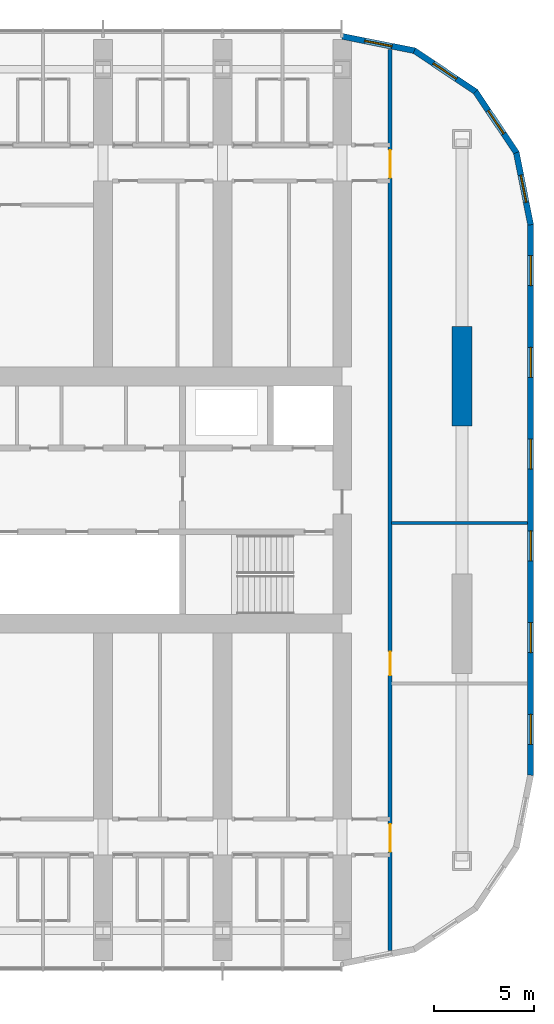
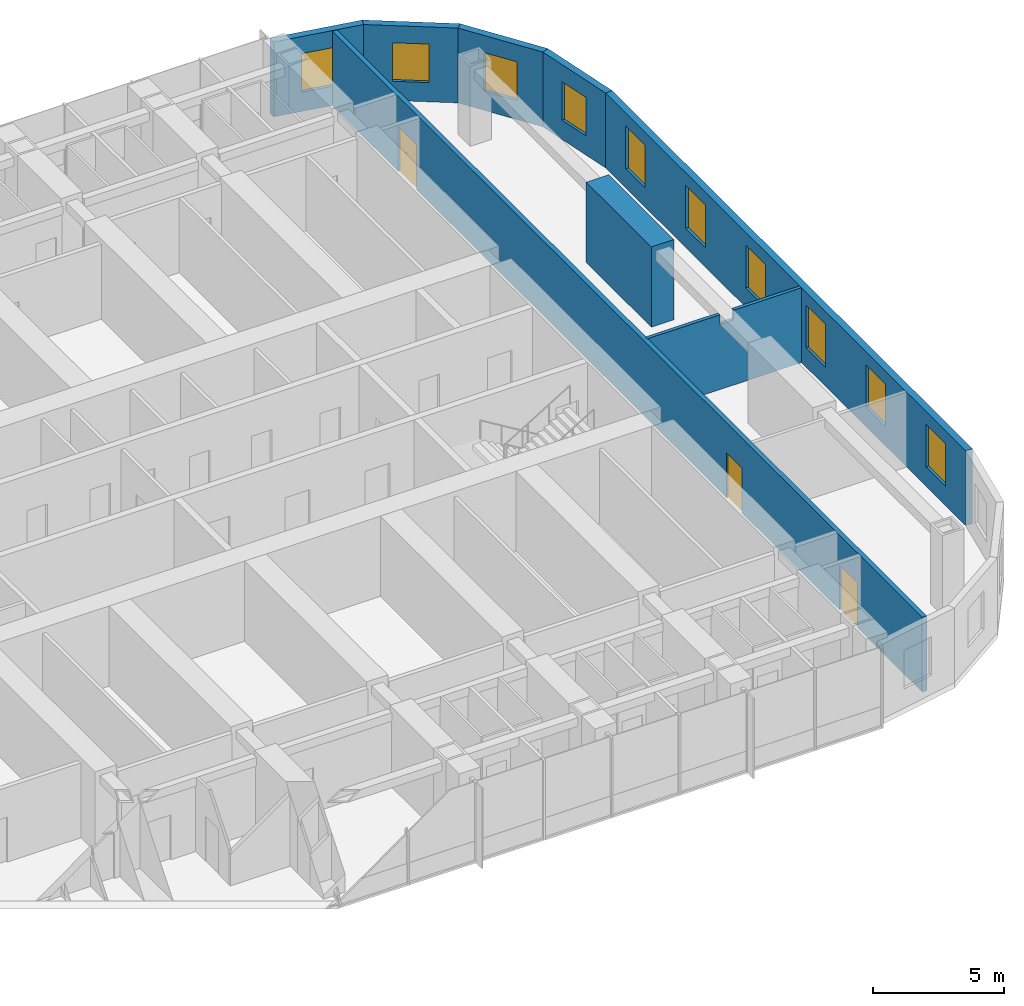
# One storey, part 17 of 22: 10 windows, 8 walls, 3 doors, 13 openings.
"""IFC4 building model written with IfcOpenShell, lengths in metres."""

import ifcopenshell
import ifcopenshell.guid

model = None  # the IFC model being written
_history = None  # IfcOwnerHistory: only IFC2X3 demands one
_inside = {}  # id of a spatial element -> (the spatial element, [elements in it])
_under = {}  # id of a project, library or spatial element -> (it, [spatial elements below it])
_declared = {}  # id of a project -> (the project, [libraries it declares])
_typed = {}  # id of a type object -> (the type object, [elements of that type])
_made_of = {}  # id of a material, layer set ... -> (it, [elements and type objects made of it])


def new_model(schema):
    """Start an empty IFC model of exactly this schema.

    Asked for "IFC4X3", IfcOpenShell would pick the latest addendum, in which some entities
    have other attributes; the version numbers below select the first issue.
    IFC2X3 requires an IfcOwnerHistory on every rooted entity: one is made here for all.
    """
    global model, _history
    if schema == "IFC4X3":
        model = ifcopenshell.file(schema_version=(4, 3, 0, 0))
    else:
        model = ifcopenshell.file(schema=schema)
    _inside.clear()
    _under.clear()
    _declared.clear()
    _typed.clear()
    _made_of.clear()
    _history = None
    if model.schema == "IFC2X3":
        org = make("IfcOrganization", Name="unknown")
        user = make(
            "IfcPersonAndOrganization",
            ThePerson=make("IfcPerson", FamilyName="unknown"),
            TheOrganization=org,
        )
        app = make(
            "IfcApplication",
            ApplicationDeveloper=org,
            Version="unknown",
            ApplicationFullName="unknown",
            ApplicationIdentifier="unknown",
        )
        _history = make(
            "IfcOwnerHistory",
            OwningUser=user,
            OwningApplication=app,
            ChangeAction="ADDED",
            CreationDate=0,
        )
    return model


def make(cls, **values):
    """One entity of the class cls with the attributes given. An attribute that is None is left unset."""
    return model.create_entity(
        cls, **{name: value for name, value in values.items() if value is not None}
    )


def rooted(cls, **values):
    """An entity with a GlobalId (a new one), such as an element, a storey or a relation."""
    return make(cls, GlobalId=ifcopenshell.guid.new(), OwnerHistory=_history, **values)


def si_unit(unit_type, name, prefix=None):
    """IfcSIUnit, for example si_unit("LENGTHUNIT", "METRE", prefix="MILLI")."""
    return make("IfcSIUnit", UnitType=unit_type, Prefix=prefix, Name=name)


def assignment(units):
    """IfcUnitAssignment: the units of a project."""
    return None if units is None else make("IfcUnitAssignment", Units=units)


def point(xyz):
    """IfcCartesianPoint."""
    return None if xyz is None else make("IfcCartesianPoint", Coordinates=xyz)


def direction(xyz):
    """IfcDirection."""
    return None if xyz is None else make("IfcDirection", DirectionRatios=xyz)


def frame(location, z_axis=None, x_axis=None):
    """IfcAxis2Placement3D, a coordinate frame: its origin and axes. An axis left out is left unset."""
    return make(
        "IfcAxis2Placement3D",
        Location=point(location),
        Axis=direction(z_axis),
        RefDirection=direction(x_axis),
    )


def frame_2d(location, x_axis=None):
    """IfcAxis2Placement2D, a coordinate frame in the plane: its origin and x axis."""
    return make(
        "IfcAxis2Placement2D", Location=point(location), RefDirection=direction(x_axis)
    )


def origin():
    """The frame at (0, 0, 0) with its axes left unset."""
    return frame((0.0, 0.0, 0.0))


def place(relative_to, where):
    """IfcLocalPlacement: puts the frame where relative to a parent placement (None: the world)."""
    return make(
        "IfcLocalPlacement", PlacementRelTo=relative_to, RelativePlacement=where
    )


def context(
    kind, dimensions, precision=None, world=None, true_north=None, identifier=None
):
    """IfcGeometricRepresentationContext, for example the 3D "Model" context."""
    return make(
        "IfcGeometricRepresentationContext",
        ContextIdentifier=identifier,
        ContextType=kind,
        CoordinateSpaceDimension=dimensions,
        Precision=precision,
        WorldCoordinateSystem=world,
        TrueNorth=true_north,
    )


def subcontext(parent, identifier, kind, view, scale=None):
    """IfcGeometricRepresentationSubContext, for example "Body" below "Model"."""
    return make(
        "IfcGeometricRepresentationSubContext",
        ContextIdentifier=identifier,
        ContextType=kind,
        ParentContext=parent,
        TargetScale=scale,
        TargetView=view,
    )


def project(units=None, contexts=None):
    """IfcProject with its units and contexts."""
    return rooted(
        "IfcProject",
        Name="project",
        RepresentationContexts=contexts,
        UnitsInContext=assignment(units),
    )


def spatial(cls, under=None, at=None, **own):
    """A site, building, storey or space (cls), placed at a placement, below another one or the project."""
    s = rooted(cls, ObjectPlacement=at, **own)
    if under is not None:
        _under.setdefault(under.id(), (under, []))[1].append(s)
    return s


def polyline(points):
    """IfcPolyline through the points."""
    return make("IfcPolyline", Points=[point(p) for p in points])


def profile(cls, at=None, kind="AREA", **sizes):
    """A parametric profile (cls). Its sizes go by their IFC names, for example OverallWidth=200.0."""
    return make(cls, ProfileType=kind, Position=at, **sizes)


def rectangle(**sizes):
    """IfcRectangleProfileDef."""
    return profile("IfcRectangleProfileDef", **sizes)


def outline(outer, holes=None, kind="AREA"):
    """IfcArbitraryClosedProfileDef: a profile drawn as a closed curve; with holes, ...WithVoids."""
    if holes is None:
        return make("IfcArbitraryClosedProfileDef", ProfileType=kind, OuterCurve=outer)
    return make(
        "IfcArbitraryProfileDefWithVoids",
        ProfileType=kind,
        OuterCurve=outer,
        InnerCurves=holes,
    )


def extrude(swept, where, along, depth):
    """IfcExtrudedAreaSolid: the profile swept, set in the frame where, extruded along a direction by depth."""
    return make(
        "IfcExtrudedAreaSolid",
        SweptArea=swept,
        Position=where,
        ExtrudedDirection=direction(along),
        Depth=depth,
    )


def shape(context_of_items, identifier, shape_type, items):
    """IfcShapeRepresentation: the items that make up one representation, for example the "Body"."""
    return make(
        "IfcShapeRepresentation",
        ContextOfItems=context_of_items,
        RepresentationIdentifier=identifier,
        RepresentationType=shape_type,
        Items=items,
    )


def material(Name=None, Category=None):
    """IfcMaterial."""
    return make("IfcMaterial", Name=Name, Category=Category)


def layer(
    of_material, thickness, ventilated=None, Name=None, Category=None, Priority=None
):
    """IfcMaterialLayer: one layer of a wall or slab, of a material (None: an air gap)."""
    return make(
        "IfcMaterialLayer",
        Material=of_material,
        LayerThickness=thickness,
        IsVentilated=ventilated,
        Name=Name,
        Category=Category,
        Priority=Priority,
    )


def layer_set(layers, Name=None):
    """IfcMaterialLayerSet."""
    return make("IfcMaterialLayerSet", MaterialLayers=layers, LayerSetName=Name)


def made_of(thing, what):
    """Note that an element or type object is made of a material, layer set ...; save() writes the relation."""
    if what is not None:
        _made_of.setdefault(what.id(), (what, []))[1].append(thing)
    return thing


def type_object(cls, material=None, **own):
    """A type object (cls), such as IfcWallType, which elements share."""
    return made_of(rooted(cls, **own), material)


def element(
    cls,
    number,
    at=None,
    inside=None,
    cuts=None,
    type_object=None,
    material=None,
    context=None,
    identifier="Body",
    shape_type=None,
    held_by="IfcProductDefinitionShape",
    body=None,
    shapes=None,
    **own,
):
    """One element of the class cls, such as IfcWall. Its Tag is "e" and its number.

    at: its placement. inside: the storey or other place that contains it. cuts: it is an
    opening in that element (IfcRelVoidsElement). A single representation is given by context,
    identifier, shape_type and body (its items); several are given by shapes. held_by: the class
    of the entity that holds the representations. save() writes the other relations.
    """
    e = rooted(cls, Tag="e%d" % number, ObjectPlacement=at, **own)
    if body is not None:
        shapes = [shape(context, identifier, shape_type, body)]
    if shapes is not None:
        e.Representation = make(held_by, Representations=shapes)
    if inside is not None:
        _inside.setdefault(inside.id(), (inside, []))[1].append(e)
    if cuts is not None:
        rooted(
            "IfcRelVoidsElement", RelatingBuildingElement=cuts, RelatedOpeningElement=e
        )
    if type_object is not None:
        _typed.setdefault(type_object.id(), (type_object, []))[1].append(e)
    return made_of(e, material)


def fill(opening, filler):
    """IfcRelFillsElement: the door or window that sits in an opening."""
    return rooted(
        "IfcRelFillsElement",
        RelatingOpeningElement=opening,
        RelatedBuildingElement=filler,
    )


def aggregate(whole, parts):
    """IfcRelAggregates: a whole, such as a stair, and the parts it consists of."""
    return rooted("IfcRelAggregates", RelatingObject=whole, RelatedObjects=parts)


def save(model, path):
    """Write the relations noted so far, then the file.

    IfcRelAggregates (storeys below a building ...), IfcRelContainedInSpatialStructure (elements
    in a storey), IfcRelDefinesByType, IfcRelAssociatesMaterial and IfcRelDeclares: one each for
    every whole, place, type object, material and project.
    """
    for whole, parts in _under.values():
        aggregate(whole, parts)
    for where, things in _inside.values():
        rooted(
            "IfcRelContainedInSpatialStructure",
            RelatedElements=things,
            RelatingStructure=where,
        )
    for kind, things in _typed.values():
        rooted("IfcRelDefinesByType", RelatedObjects=things, RelatingType=kind)
    for what, things in _made_of.values():
        rooted("IfcRelAssociatesMaterial", RelatedObjects=things, RelatingMaterial=what)
    for by, libraries in _declared.values():
        rooted("IfcRelDeclares", RelatingContext=by, RelatedDefinitions=libraries)
    model.write(path)


model = new_model("IFC4")

# Units and contexts
model_context = context("Model", 3, precision=1e-05, world=origin(), true_north=direction((0.0, 1.0)))
body_context = subcontext(model_context, "Body", "Model", "MODEL_VIEW")
ifc_project = project(units=[si_unit("LENGTHUNIT", "METRE"), si_unit("AREAUNIT", "SQUARE_METRE"), si_unit("VOLUMEUNIT", "CUBIC_METRE"), si_unit("PLANEANGLEUNIT", "RADIAN"), si_unit("MASSUNIT", "GRAM", prefix="KILO")], contexts=[model_context])

# Site, building, storey
site_placement = place(None, origin())
site = spatial("IfcSite", under=ifc_project, at=site_placement, CompositionType="ELEMENT")
building_placement = place(site_placement, origin())
building = spatial("IfcBuilding", under=site, at=building_placement, Name="Orbita Commons", CompositionType="ELEMENT")
storey_placement = place(building_placement, frame((0.0, 0.0, 121.89990234375)))
storey = spatial("IfcBuildingStorey", under=building, at=storey_placement, Name="L30", CompositionType="ELEMENT", Elevation=121.89990234375)

# Wall, openings, doors
ifc_material_1 = material(Name="Concrete blockwork", Category="masonry")
ifc_layer_1 = layer(ifc_material_1, 0.199951171875)
ifc_layer_set_1 = layer_set([ifc_layer_1], Name="Concrete blockwork")
wall_type_1 = type_object("IfcWallType", Name="Corridor wall 200 blockwork", PredefinedType="SOLIDWALL", material=ifc_layer_set_1)
wall_1_placement = place(storey_placement, frame((68.39990234375, 9.4052734375, 0.0), z_axis=(0.0, 0.0, 1.0), x_axis=(0.0, 1.0, 0.0)))
wall_1 = element("IfcWall", 1, at=wall_1_placement, inside=storey, type_object=wall_type_1, Name="Corridor wall 200 blockwork L30", PredefinedType="SOLIDWALL", context=body_context, shape_type="SweptSolid", body=[
    extrude(rectangle(XDim=45.189453125, YDim=0.199951171875, at=frame_2d((22.5947265625, 0.0))), origin(), (0.0, 0.0, 1.0), 3.5),
])
opening_1_placement = place(wall_1_placement, frame((13.794677734375, 0.0, 0.0)))
opening_1 = element("IfcOpeningElement", 2, at=opening_1_placement, cuts=wall_1, Name="Opening D15", PredefinedType="OPENING", context=body_context, shape_type="SweptSolid", body=[
    extrude(rectangle(XDim=1.199951171875, YDim=2.10009765625, at=frame_2d((0.60009765625, 1.050048828125))), frame((0.0, 0.10986328125, 0.0), z_axis=(0.0, -1.0, 0.0), x_axis=(1.0, 0.0, 0.0)), (0.0, 0.0, 1.0), 0.219970703125),
])
opening_2_placement = place(wall_1_placement, frame((4.94482421875, 0.0, 0.0)))
opening_2 = element("IfcOpeningElement", 3, at=opening_2_placement, cuts=wall_1, Name="Opening D08", PredefinedType="OPENING", context=body_context, shape_type="SweptSolid", body=[
    extrude(rectangle(XDim=1.39990234375, YDim=2.10009765625, at=frame_2d((0.699951171875, 1.050048828125))), frame((0.0, 0.10986328125, 0.0), z_axis=(0.0, -1.0, 0.0), x_axis=(1.0, 0.0, 0.0)), (0.0, 0.0, 1.0), 0.219970703125),
])
opening_3_placement = place(wall_1_placement, frame((38.74462890625, 0.0, 0.0)))
opening_3 = element("IfcOpeningElement", 4, at=opening_3_placement, cuts=wall_1, Name="Opening D08", PredefinedType="OPENING", context=body_context, shape_type="SweptSolid", body=[
    extrude(rectangle(XDim=1.39990234375, YDim=2.10009765625, at=frame_2d((0.699951171875, 1.050048828125))), frame((0.0, 0.10986328125, 0.0), z_axis=(0.0, -1.0, 0.0), x_axis=(1.0, 0.0, 0.0)), (0.0, 0.0, 1.0), 0.219970703125),
])
ifc_material_2 = material(Name="Steel-faced fire door leaf", Category="steel")
door_type_1 = type_object("IfcDoorType", Name="Corridor door 20 min 1200x2100", OperationType="SINGLE_SWING_LEFT", PredefinedType="DOOR", material=ifc_material_2)
door_1_placement = place(opening_1_placement, origin())
door_1 = element("IfcDoor", 5, at=door_1_placement, inside=storey, type_object=door_type_1, Name="Reading room door", OperationType="SINGLE_SWING_LEFT", OverallHeight=2.10009765625, OverallWidth=1.199951171875, PredefinedType="DOOR", context=body_context, shape_type="SweptSolid", body=[
    extrude(rectangle(XDim=1.199951171875, YDim=2.10009765625, at=frame_2d((0.60009765625, 1.050048828125))), frame((0.0, 0.02490234375, 0.0), z_axis=(0.0, -1.0, 0.0), x_axis=(1.0, 0.0, 0.0)), (0.0, 0.0, 1.0), 0.050048828125),
])
fill(opening_1, door_1)
ifc_material_3 = material(Name="Steel-faced fire door leaf", Category="steel")
door_type_2 = type_object("IfcDoorType", Name="Double corridor door 20 min 1400x2100", OperationType="DOUBLE_DOOR_SINGLE_SWING", PredefinedType="DOOR", material=ifc_material_3)
door_2_placement = place(opening_2_placement, origin())
door_2 = element("IfcDoor", 6, at=door_2_placement, inside=storey, type_object=door_type_2, Name="Lounge doors", OperationType="DOUBLE_DOOR_SINGLE_SWING", OverallHeight=2.10009765625, OverallWidth=1.39990234375, PredefinedType="DOOR", context=body_context, shape_type="SweptSolid", body=[
    extrude(rectangle(XDim=1.39990234375, YDim=2.10009765625, at=frame_2d((0.699951171875, 1.050048828125))), frame((0.0, 0.02490234375, 0.0), z_axis=(0.0, -1.0, 0.0), x_axis=(1.0, 0.0, 0.0)), (0.0, 0.0, 1.0), 0.050048828125),
])
fill(opening_2, door_2)
door_3_placement = place(opening_3_placement, origin())
door_3 = element("IfcDoor", 7, at=door_3_placement, inside=storey, type_object=door_type_2, Name="Lounge doors", OperationType="DOUBLE_DOOR_SINGLE_SWING", OverallHeight=2.10009765625, OverallWidth=1.39990234375, PredefinedType="DOOR", context=body_context, shape_type="SweptSolid", body=[
    extrude(rectangle(XDim=1.39990234375, YDim=2.10009765625, at=frame_2d((0.699951171875, 1.050048828125))), frame((0.0, 0.02490234375, 0.0), z_axis=(0.0, -1.0, 0.0), x_axis=(1.0, 0.0, 0.0)), (0.0, 0.0, 1.0), 0.050048828125),
])
fill(opening_3, door_3)

# Walls
ifc_material_4 = material(Name="Concrete C50/60", Category="concrete")
ifc_layer_2 = layer(ifc_material_4, 1.0)
ifc_layer_set_2 = layer_set([ifc_layer_2], Name="Concrete C50/60")
wall_type_2 = type_object("IfcWallType", Name="End pier 1000x5000 C50/60", PredefinedType="SHEAR", material=ifc_layer_set_2)
wall_2_placement = place(storey_placement, frame((72.0, 35.699951171875, 0.0), z_axis=(0.0, 0.0, 1.0), x_axis=(0.0, 1.0, 0.0)))
element("IfcWall", 8, at=wall_2_placement, inside=storey, type_object=wall_type_2, Name="End pier 13/D L30", PredefinedType="SHEAR", context=body_context, shape_type="SweptSolid", body=[
    extrude(rectangle(XDim=5.0, YDim=1.0, at=frame_2d((2.5, 0.0))), origin(), (0.0, 0.0, 1.0), 3.75),
])
ifc_material_5 = material(Name="Gypsum plasterboard on steel studs", Category="steel")
ifc_layer_3 = layer(ifc_material_5, 0.14990234375)
ifc_layer_set_3 = layer_set([ifc_layer_3], Name="Gypsum plasterboard on steel studs")
wall_type_3 = type_object("IfcWallType", Name="Partition 150 plasterboard", PredefinedType="PARTITIONING", material=ifc_layer_set_3)
wall_3_placement = place(storey_placement, frame((68.47509765625, 30.85009765625, 0.0), z_axis=(0.0, 0.0, 1.0), x_axis=(1.0, 0.0, 0.0)))
element("IfcWall", 9, at=wall_3_placement, inside=storey, type_object=wall_type_3, Name="Partition 150 plasterboard L30", PredefinedType="PARTITIONING", context=body_context, shape_type="SweptSolid", body=[
    extrude(outline(polyline([(0.0, 0.0), (6.81982421875, 0.0), (6.820068359375, 3.5), (3.826904296875, 3.5), (3.824951171875, 3.050048828125), (3.22705078125, 3.050048828125), (3.22509765625, 3.5), (0.0, 3.5), (0.0, 0.0)])), frame((0.0, 0.074951171875, 0.0), z_axis=(0.0, -1.0, 0.0), x_axis=(1.0, 0.0, 0.0)), (0.0, 0.0, 1.0), 0.14990234375),
])

# Wall, openings, windows
ifc_material_6 = material(Name="Precast concrete C40/50, white board-marked finish", Category="concrete")
ifc_layer_4 = layer(ifc_material_6, 0.300048828125)
ifc_layer_set_4 = layer_set([ifc_layer_4], Name="Precast concrete C40/50, white board-marked finish")
wall_type_4 = type_object("IfcWallType", Name="Precast concrete end shield 300", PredefinedType="SOLIDWALL", material=ifc_layer_set_4)
wall_4_placement = place(storey_placement, frame((75.449951171875, 18.199951171875, 0.0), z_axis=(0.0, 0.0, 1.0), x_axis=(0.0, 1.0, 0.0)))
wall_4 = element("IfcWall", 10, at=wall_4_placement, inside=storey, type_object=wall_type_4, Name="End shield E L30", PredefinedType="SOLIDWALL", context=body_context, shape_type="SweptSolid", body=[
    extrude(outline(polyline([(-0.014892578125, -0.14990234375), (27.614990234375, -0.14990234375), (27.585205078125, 0.14990234375), (0.014892578125, 0.14990234375), (-0.014892578125, -0.14990234375)])), origin(), (0.0, 0.0, 1.0), 3.5),
])
opening_4_placement = place(wall_4_placement, frame((1.550048828125, 0.0, 0.89990234375)))
opening_4 = element("IfcOpeningElement", 11, at=opening_4_placement, cuts=wall_4, Name="Opening W01", PredefinedType="OPENING", context=body_context, shape_type="SweptSolid", body=[
    extrude(rectangle(XDim=1.5, YDim=2.0, at=frame_2d((0.75, 1.0))), frame((0.0, 0.159912109375, 0.0), z_axis=(0.0, -1.0, 0.0), x_axis=(1.0, 0.0, 0.0)), (0.0, 0.0, 1.0), 0.320068359375),
])
opening_5_placement = place(wall_4_placement, frame((6.14990234375, 0.0, 0.89990234375)))
opening_5 = element("IfcOpeningElement", 12, at=opening_5_placement, cuts=wall_4, Name="Opening W01", PredefinedType="OPENING", context=body_context, shape_type="SweptSolid", body=[
    extrude(rectangle(XDim=1.5, YDim=2.0, at=frame_2d((0.75, 1.0))), frame((0.0, 0.159912109375, 0.0), z_axis=(0.0, -1.0, 0.0), x_axis=(1.0, 0.0, 0.0)), (0.0, 0.0, 1.0), 0.320068359375),
])
opening_6_placement = place(wall_4_placement, frame((10.75, 0.0, 0.89990234375)))
opening_6 = element("IfcOpeningElement", 13, at=opening_6_placement, cuts=wall_4, Name="Opening W01", PredefinedType="OPENING", context=body_context, shape_type="SweptSolid", body=[
    extrude(rectangle(XDim=1.5, YDim=2.0, at=frame_2d((0.75, 1.0))), frame((0.0, 0.159912109375, 0.0), z_axis=(0.0, -1.0, 0.0), x_axis=(1.0, 0.0, 0.0)), (0.0, 0.0, 1.0), 0.320068359375),
])
opening_7_placement = place(wall_4_placement, frame((15.35009765625, 0.0, 0.89990234375)))
opening_7 = element("IfcOpeningElement", 14, at=opening_7_placement, cuts=wall_4, Name="Opening W01", PredefinedType="OPENING", context=body_context, shape_type="SweptSolid", body=[
    extrude(rectangle(XDim=1.5, YDim=2.0, at=frame_2d((0.75, 1.0))), frame((0.0, 0.159912109375, 0.0), z_axis=(0.0, -1.0, 0.0), x_axis=(1.0, 0.0, 0.0)), (0.0, 0.0, 1.0), 0.320068359375),
])
opening_8_placement = place(wall_4_placement, frame((19.949951171875, 0.0, 0.89990234375)))
opening_8 = element("IfcOpeningElement", 15, at=opening_8_placement, cuts=wall_4, Name="Opening W01", PredefinedType="OPENING", context=body_context, shape_type="SweptSolid", body=[
    extrude(rectangle(XDim=1.5, YDim=2.0, at=frame_2d((0.75, 1.0))), frame((0.0, 0.159912109375, 0.0), z_axis=(0.0, -1.0, 0.0), x_axis=(1.0, 0.0, 0.0)), (0.0, 0.0, 1.0), 0.320068359375),
])
opening_9_placement = place(wall_4_placement, frame((24.550048828125, 0.0, 0.89990234375)))
opening_9 = element("IfcOpeningElement", 16, at=opening_9_placement, cuts=wall_4, Name="Opening W01", PredefinedType="OPENING", context=body_context, shape_type="SweptSolid", body=[
    extrude(rectangle(XDim=1.5, YDim=2.0, at=frame_2d((0.75, 1.0))), frame((0.0, 0.159912109375, 0.0), z_axis=(0.0, -1.0, 0.0), x_axis=(1.0, 0.0, 0.0)), (0.0, 0.0, 1.0), 0.320068359375),
])
ifc_material_7 = material(Name="Aluminium frame, clear double glazing", Category="aluminium")
window_type_1 = type_object("IfcWindowType", Name="Deep-set window 1500x2000", PartitioningType="SINGLE_PANEL", PredefinedType="WINDOW", material=ifc_material_7)
window_1_placement = place(opening_4_placement, origin())
window_1 = element("IfcWindow", 17, at=window_1_placement, inside=storey, type_object=window_type_1, Name="Window L30-E 1", OverallHeight=2.0, OverallWidth=1.5, PartitioningType="SINGLE_PANEL", PredefinedType="WINDOW", context=body_context, shape_type="SweptSolid", body=[
    extrude(rectangle(XDim=1.5, YDim=2.0, at=frame_2d((0.75, 1.0))), frame((0.0, 0.030029296875, 0.0), z_axis=(0.0, -1.0, 0.0), x_axis=(1.0, 0.0, 0.0)), (0.0, 0.0, 1.0), 0.06005859375),
])
fill(opening_4, window_1)
window_2_placement = place(opening_5_placement, origin())
window_2 = element("IfcWindow", 18, at=window_2_placement, inside=storey, type_object=window_type_1, Name="Window L30-E 2", OverallHeight=2.0, OverallWidth=1.5, PartitioningType="SINGLE_PANEL", PredefinedType="WINDOW", context=body_context, shape_type="SweptSolid", body=[
    extrude(rectangle(XDim=1.5, YDim=2.0, at=frame_2d((0.75, 1.0))), frame((0.0, 0.030029296875, 0.0), z_axis=(0.0, -1.0, 0.0), x_axis=(1.0, 0.0, 0.0)), (0.0, 0.0, 1.0), 0.06005859375),
])
fill(opening_5, window_2)
window_3_placement = place(opening_6_placement, origin())
window_3 = element("IfcWindow", 19, at=window_3_placement, inside=storey, type_object=window_type_1, Name="Window L30-E 3", OverallHeight=2.0, OverallWidth=1.5, PartitioningType="SINGLE_PANEL", PredefinedType="WINDOW", context=body_context, shape_type="SweptSolid", body=[
    extrude(rectangle(XDim=1.5, YDim=2.0, at=frame_2d((0.75, 1.0))), frame((0.0, 0.030029296875, 0.0), z_axis=(0.0, -1.0, 0.0), x_axis=(1.0, 0.0, 0.0)), (0.0, 0.0, 1.0), 0.06005859375),
])
fill(opening_6, window_3)
window_4_placement = place(opening_7_placement, origin())
window_4 = element("IfcWindow", 20, at=window_4_placement, inside=storey, type_object=window_type_1, Name="Window L30-E 4", OverallHeight=2.0, OverallWidth=1.5, PartitioningType="SINGLE_PANEL", PredefinedType="WINDOW", context=body_context, shape_type="SweptSolid", body=[
    extrude(rectangle(XDim=1.5, YDim=2.0, at=frame_2d((0.75, 1.0))), frame((0.0, 0.030029296875, 0.0), z_axis=(0.0, -1.0, 0.0), x_axis=(1.0, 0.0, 0.0)), (0.0, 0.0, 1.0), 0.06005859375),
])
fill(opening_7, window_4)
window_5_placement = place(opening_8_placement, origin())
window_5 = element("IfcWindow", 21, at=window_5_placement, inside=storey, type_object=window_type_1, Name="Window L30-E 5", OverallHeight=2.0, OverallWidth=1.5, PartitioningType="SINGLE_PANEL", PredefinedType="WINDOW", context=body_context, shape_type="SweptSolid", body=[
    extrude(rectangle(XDim=1.5, YDim=2.0, at=frame_2d((0.75, 1.0))), frame((0.0, 0.030029296875, 0.0), z_axis=(0.0, -1.0, 0.0), x_axis=(1.0, 0.0, 0.0)), (0.0, 0.0, 1.0), 0.06005859375),
])
fill(opening_8, window_5)
window_6_placement = place(opening_9_placement, origin())
window_6 = element("IfcWindow", 22, at=window_6_placement, inside=storey, type_object=window_type_1, Name="Window L30-E 6", OverallHeight=2.0, OverallWidth=1.5, PartitioningType="SINGLE_PANEL", PredefinedType="WINDOW", context=body_context, shape_type="SweptSolid", body=[
    extrude(rectangle(XDim=1.5, YDim=2.0, at=frame_2d((0.75, 1.0))), frame((0.0, 0.030029296875, 0.0), z_axis=(0.0, -1.0, 0.0), x_axis=(1.0, 0.0, 0.0)), (0.0, 0.0, 1.0), 0.06005859375),
])
fill(opening_9, window_6)

# Wall, opening, window
wall_5_placement = place(storey_placement, frame((75.449951171875, 45.800048828125, 0.0), z_axis=(0.0, 0.0, 1.0), x_axis=(-0.195059183267, 0.980791473772, 0.0)))
wall_5 = element("IfcWall", 23, at=wall_5_placement, inside=storey, type_object=wall_type_4, Name="End shield NE chord 1 L30", PredefinedType="SOLIDWALL", context=body_context, shape_type="SweptSolid", body=[
    extrude(outline(polyline([(-0.014892578125, -0.14990234375), (3.717041015625, -0.14990234375), (3.657470703125, 0.14990234375), (0.014892578125, 0.14990234375), (-0.014892578125, -0.14990234375)])), origin(), (0.0, 0.0, 1.0), 3.5),
])
opening_10_placement = place(wall_5_placement, frame((1.1435546875, 0.0, 0.89990234375)))
opening_10 = element("IfcOpeningElement", 24, at=opening_10_placement, cuts=wall_5, Name="Opening W02", PredefinedType="OPENING", context=body_context, shape_type="SweptSolid", body=[
    extrude(rectangle(XDim=1.39990234375, YDim=1.800048828125, at=frame_2d((0.699951171875, 0.89990234375))), frame((0.0, 0.159912109375, 0.0), z_axis=(0.0, -1.0, 0.0), x_axis=(1.0, 0.0, 0.0)), (0.0, 0.0, 1.0), 0.320068359375),
])
ifc_material_8 = material(Name="Aluminium frame, clear double glazing", Category="aluminium")
window_type_2 = type_object("IfcWindowType", Name="Deep-set window 1400x1800", PartitioningType="SINGLE_PANEL", PredefinedType="WINDOW", material=ifc_material_8)
window_7_placement = place(opening_10_placement, origin())
window_7 = element("IfcWindow", 25, at=window_7_placement, inside=storey, type_object=window_type_2, Name="Window L30-NE0", OverallHeight=1.800048828125, OverallWidth=1.39990234375, PartitioningType="SINGLE_PANEL", PredefinedType="WINDOW", context=body_context, shape_type="SweptSolid", body=[
    extrude(rectangle(XDim=1.39990234375, YDim=1.800048828125, at=frame_2d((0.699951171875, 0.89990234375))), frame((0.0, 0.030029296875, 0.0), z_axis=(0.0, -1.0, 0.0), x_axis=(1.0, 0.0, 0.0)), (0.0, 0.0, 1.0), 0.06005859375),
])
fill(opening_10, window_7)

wall_6_placement = place(storey_placement, frame((74.730712890625, 49.41650390625, 0.0), z_axis=(0.0, 0.0, 1.0), x_axis=(-0.555601399253, 0.831448786846, 0.0)))
wall_6 = element("IfcWall", 26, at=wall_6_placement, inside=storey, type_object=wall_type_4, Name="End shield NE chord 2 L30", PredefinedType="SOLIDWALL", context=body_context, shape_type="SweptSolid", body=[
    extrude(outline(polyline([(-0.02978515625, -0.14990234375), (3.717041015625, -0.14990234375), (3.657470703125, 0.14990234375), (0.02978515625, 0.14990234375), (-0.02978515625, -0.14990234375)])), origin(), (0.0, 0.0, 1.0), 3.5),
])
opening_11_placement = place(wall_6_placement, frame((1.1435546875, 0.0, 0.89990234375)))
opening_11 = element("IfcOpeningElement", 27, at=opening_11_placement, cuts=wall_6, Name="Opening W02", PredefinedType="OPENING", context=body_context, shape_type="SweptSolid", body=[
    extrude(rectangle(XDim=1.39990234375, YDim=1.800048828125, at=frame_2d((0.699951171875, 0.89990234375))), frame((0.0, 0.159912109375, 0.0), z_axis=(0.0, -1.0, 0.0), x_axis=(1.0, 0.0, 0.0)), (0.0, 0.0, 1.0), 0.320068359375),
])
window_8_placement = place(opening_11_placement, origin())
window_8 = element("IfcWindow", 28, at=window_8_placement, inside=storey, type_object=window_type_2, Name="Window L30-NE1", OverallHeight=1.800048828125, OverallWidth=1.39990234375, PartitioningType="SINGLE_PANEL", PredefinedType="WINDOW", context=body_context, shape_type="SweptSolid", body=[
    extrude(rectangle(XDim=1.39990234375, YDim=1.800048828125, at=frame_2d((0.699951171875, 0.89990234375))), frame((0.0, 0.030029296875, 0.0), z_axis=(0.0, -1.0, 0.0), x_axis=(1.0, 0.0, 0.0)), (0.0, 0.0, 1.0), 0.06005859375),
])
fill(opening_11, window_8)

wall_7_placement = place(storey_placement, frame((72.68212890625, 52.482177734375, 0.0), z_axis=(0.0, 0.0, 1.0), x_axis=(-0.831448786846, 0.555601399253, 0.0)))
wall_7 = element("IfcWall", 29, at=wall_7_placement, inside=storey, type_object=wall_type_4, Name="End shield NE chord 3 L30", PredefinedType="SOLIDWALL", context=body_context, shape_type="SweptSolid", body=[
    extrude(outline(polyline([(-0.02978515625, -0.14990234375), (3.717041015625, -0.14990234375), (3.657470703125, 0.14990234375), (0.02978515625, 0.14990234375), (-0.02978515625, -0.14990234375)])), origin(), (0.0, 0.0, 1.0), 3.5),
])
opening_12_placement = place(wall_7_placement, frame((1.1435546875, 0.0, 0.89990234375)))
opening_12 = element("IfcOpeningElement", 30, at=opening_12_placement, cuts=wall_7, Name="Opening W02", PredefinedType="OPENING", context=body_context, shape_type="SweptSolid", body=[
    extrude(rectangle(XDim=1.39990234375, YDim=1.800048828125, at=frame_2d((0.699951171875, 0.89990234375))), frame((0.0, 0.159912109375, 0.0), z_axis=(0.0, -1.0, 0.0), x_axis=(1.0, 0.0, 0.0)), (0.0, 0.0, 1.0), 0.320068359375),
])
window_9_placement = place(opening_12_placement, origin())
window_9 = element("IfcWindow", 31, at=window_9_placement, inside=storey, type_object=window_type_2, Name="Window L30-NE2", OverallHeight=1.800048828125, OverallWidth=1.39990234375, PartitioningType="SINGLE_PANEL", PredefinedType="WINDOW", context=body_context, shape_type="SweptSolid", body=[
    extrude(rectangle(XDim=1.39990234375, YDim=1.800048828125, at=frame_2d((0.699951171875, 0.89990234375))), frame((0.0, 0.030029296875, 0.0), z_axis=(0.0, -1.0, 0.0), x_axis=(1.0, 0.0, 0.0)), (0.0, 0.0, 1.0), 0.06005859375),
])
fill(opening_12, window_9)

wall_8_placement = place(storey_placement, frame((69.616455078125, 54.53076171875, 0.0), z_axis=(0.0, 0.0, 1.0), x_axis=(-0.980791473772, 0.195059183267, 0.0)))
wall_8 = element("IfcWall", 32, at=wall_8_placement, inside=storey, type_object=wall_type_4, Name="End shield NE chord 4 L30", PredefinedType="SOLIDWALL", context=body_context, shape_type="SweptSolid", body=[
    extrude(outline(polyline([(-0.02978515625, -0.14990234375), (3.717041015625, -0.14990234375), (3.657470703125, 0.14990234375), (0.02978515625, 0.14990234375), (-0.02978515625, -0.14990234375)])), origin(), (0.0, 0.0, 1.0), 3.5),
])
opening_13_placement = place(wall_8_placement, frame((1.1435546875, 0.0, 0.89990234375)))
opening_13 = element("IfcOpeningElement", 33, at=opening_13_placement, cuts=wall_8, Name="Opening W02", PredefinedType="OPENING", context=body_context, shape_type="SweptSolid", body=[
    extrude(rectangle(XDim=1.39990234375, YDim=1.800048828125, at=frame_2d((0.699951171875, 0.89990234375))), frame((0.0, 0.159912109375, 0.0), z_axis=(0.0, -1.0, 0.0), x_axis=(1.0, 0.0, 0.0)), (0.0, 0.0, 1.0), 0.320068359375),
])
window_10_placement = place(opening_13_placement, origin())
window_10 = element("IfcWindow", 34, at=window_10_placement, inside=storey, type_object=window_type_2, Name="Window L30-NE3", OverallHeight=1.800048828125, OverallWidth=1.39990234375, PartitioningType="SINGLE_PANEL", PredefinedType="WINDOW", context=body_context, shape_type="SweptSolid", body=[
    extrude(rectangle(XDim=1.39990234375, YDim=1.800048828125, at=frame_2d((0.699951171875, 0.89990234375))), frame((0.0, 0.030029296875, 0.0), z_axis=(0.0, -1.0, 0.0), x_axis=(1.0, 0.0, 0.0)), (0.0, 0.0, 1.0), 0.06005859375),
])
fill(opening_13, window_10)

save(model, "model.ifc")
